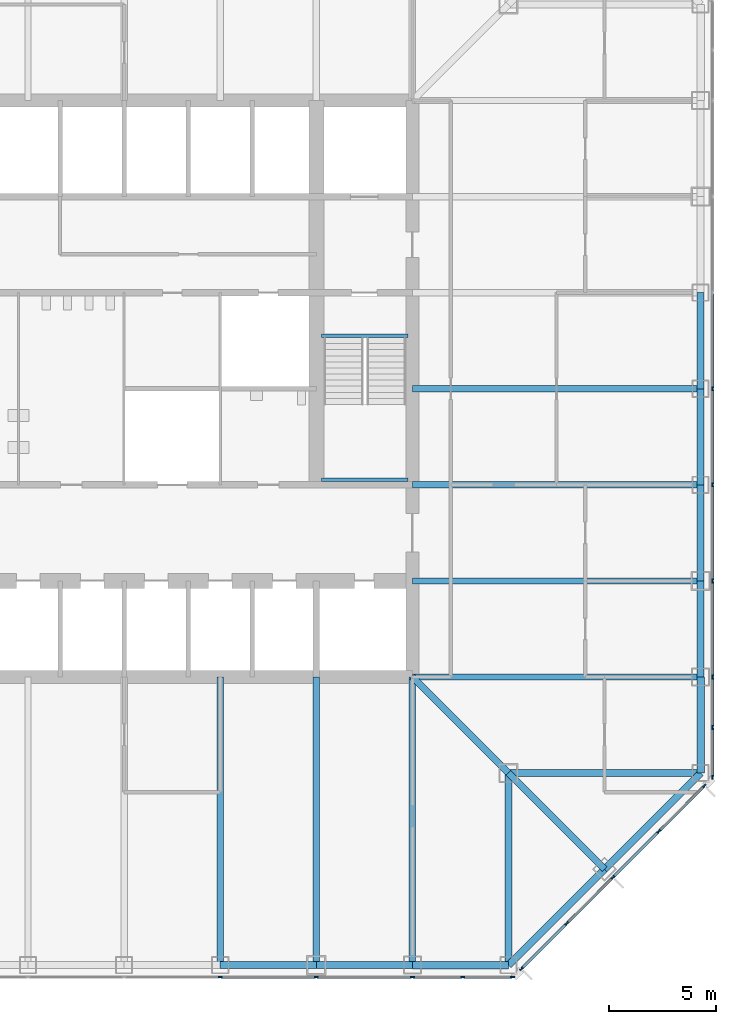
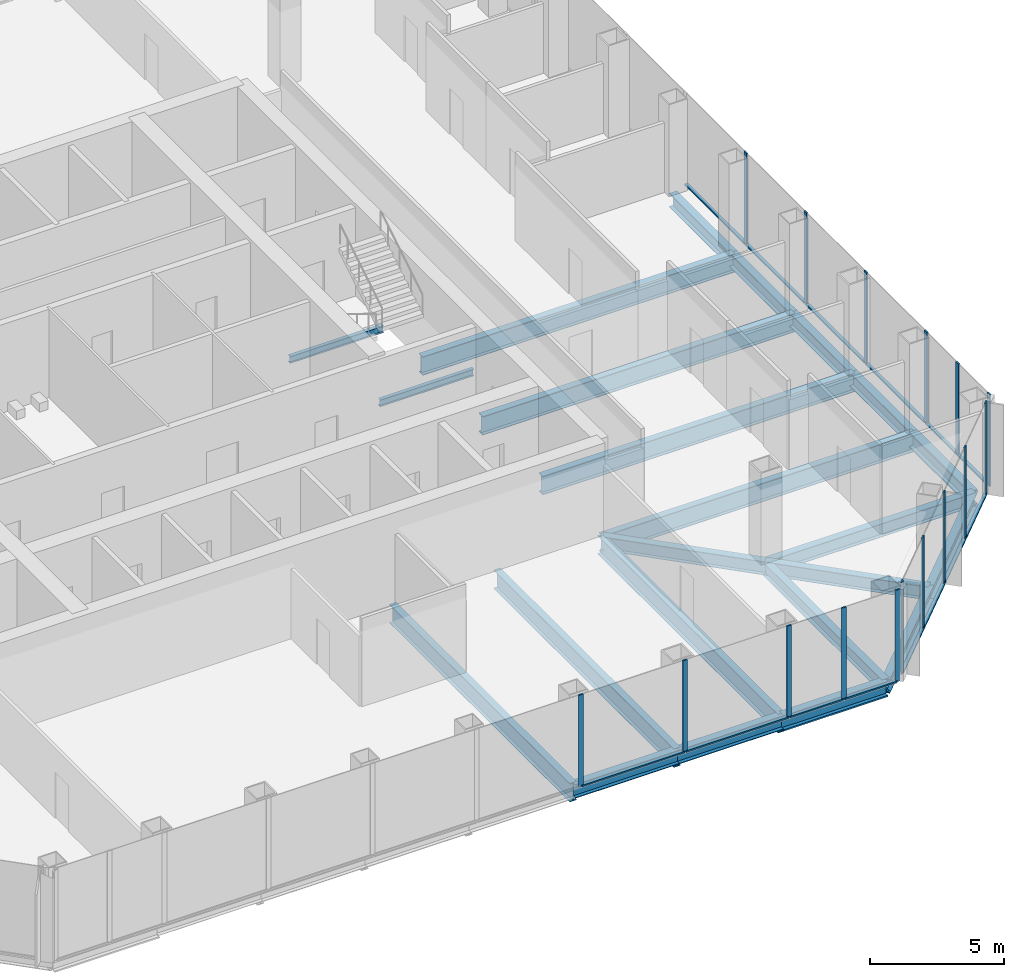
# One storey, part 4 of 12: 30 members, 23 beams, 3 elements without a shape of their own.
"""IFC4 building model written with IfcOpenShell, lengths in metres."""

from ifc_helpers import new_model, si_unit, direction, frame, origin, origin_2d, place, context, subcontext, project, spatial, rectangle, i_section, extrude, material, material_profile, profile_set, type_object, element, aggregate, save


model = new_model("IFC4")

# Units and contexts
model_context = context("Model", 3, precision=1e-05, world=origin(), true_north=direction((0.0, 1.0)))
body_context = subcontext(model_context, "Body", "Model", "MODEL_VIEW")
ifc_project = project(units=[si_unit("LENGTHUNIT", "METRE"), si_unit("AREAUNIT", "SQUARE_METRE"), si_unit("VOLUMEUNIT", "CUBIC_METRE"), si_unit("PLANEANGLEUNIT", "RADIAN"), si_unit("MASSUNIT", "GRAM", prefix="KILO")], contexts=[model_context])

# Site, building, storey
site_placement = place(None, origin())
site = spatial("IfcSite", under=ifc_project, at=site_placement, CompositionType="ELEMENT")
building_placement = place(site_placement, origin())
building = spatial("IfcBuilding", under=site, at=building_placement, Name="Corais Broadcast Tower", CompositionType="ELEMENT")
storey_placement = place(building_placement, frame((0.0, 0.0, 75.199951171875)))
storey = spatial("IfcBuildingStorey", under=building, at=storey_placement, Name="L16", CompositionType="ELEMENT", Elevation=75.199951171875)

# Beams
ifc_material_1 = material(Name="Steel ASTM A572 Grade 50", Category="steel")
ifc_material_profile_1 = material_profile(ifc_material_1, i_section(OverallWidth=0.323974609375, OverallDepth=0.611083984375, WebThickness=0.0126953125, FlangeThickness=0.01904296875, at=origin_2d()), Name="W610x155")
ifc_profile_set_1 = profile_set([ifc_material_profile_1], Name="Steel ASTM A572 Grade 50")
beam_type_1 = type_object("IfcBeamType", Name="Chamfer tie W610x155", PredefinedType="BEAM", material=ifc_profile_set_1)
beam_1_placement = place(storey_placement, frame((49.5, 4.5, -0.46533203125), z_axis=(-0.707106781187, 0.707106781187, 0.0), x_axis=(-0.707106781187, -0.707106781187, 0.0)))
element("IfcBeam", 1, at=beam_1_placement, inside=storey, type_object=beam_type_1, Name="B5 B/14 to C/13", PredefinedType="BEAM", context=body_context, shape_type="SweptSolid", body=[
    extrude(i_section(OverallWidth=0.323974609375, OverallDepth=0.611083984375, WebThickness=0.0126953125, FlangeThickness=0.01904296875, at=origin_2d()), origin(), (0.0, 0.0, 1.0), 6.364013671875),
])
ifc_material_2 = material(Name="Steel ASTM A572 Grade 50", Category="steel")
ifc_material_profile_2 = material_profile(ifc_material_2, i_section(OverallWidth=0.323974609375, OverallDepth=0.611083984375, WebThickness=0.0126953125, FlangeThickness=0.01904296875, at=origin_2d()), Name="W610x155")
ifc_profile_set_2 = profile_set([ifc_material_profile_2], Name="Steel ASTM A572 Grade 50")
beam_type_2 = type_object("IfcBeamType", Name="Corner diagonal W610x155", PredefinedType="BEAM", material=ifc_profile_set_2)
beam_2_placement = place(storey_placement, frame((45.0, 9.0, -0.46533203125), z_axis=(-0.707106781187, 0.707106781187, 0.0), x_axis=(-0.707106781187, -0.707106781187, 0.0)))
element("IfcBeam", 2, at=beam_2_placement, inside=storey, type_object=beam_type_2, Name="B6 C/13 to D/12", PredefinedType="BEAM", context=body_context, shape_type="SweptSolid", body=[
    extrude(i_section(OverallWidth=0.323974609375, OverallDepth=0.611083984375, WebThickness=0.0126953125, FlangeThickness=0.01904296875, at=origin_2d()), origin(), (0.0, 0.0, 1.0), 6.364013671875),
])
ifc_material_3 = material(Name="Steel ASTM A572 Grade 50", Category="steel")
ifc_material_profile_3 = material_profile(ifc_material_3, i_section(OverallWidth=0.323974609375, OverallDepth=0.611083984375, WebThickness=0.0126953125, FlangeThickness=0.01904296875, at=origin_2d()), Name="W610x155")
ifc_profile_set_3 = profile_set([ifc_material_profile_3], Name="Steel ASTM A572 Grade 50")
beam_type_3 = type_object("IfcBeamType", Name="Corner girder W610x155", PredefinedType="BEAM", material=ifc_profile_set_3)
for number, where, z_axis, x_axis, name in (
    (3, (45.0, 0.0, -0.46533203125), (0.0, 1.0, 0.0), (-1.0, 0.0, 0.0), "B4 A/13 to C/13"),
    (4, (54.0, 9.0, -0.46533203125), (-1.0, 0.0, 0.0), (0.0, -1.0, 0.0), "B4 C/15 to C/13"),
):
    element("IfcBeam", number, at=place(storey_placement, frame(where, z_axis=z_axis, x_axis=x_axis)), inside=storey, type_object=beam_type_3, Name=name, PredefinedType="BEAM", context=body_context, shape_type="SweptSolid", body=[
        extrude(i_section(OverallWidth=0.323974609375, OverallDepth=0.611083984375, WebThickness=0.0126953125, FlangeThickness=0.01904296875, at=origin_2d()), origin(), (0.0, 0.0, 1.0), 9.0),
    ])
ifc_material_4 = material(Name="Steel ASTM A913 Grade 65", Category="steel")
ifc_material_profile_4 = material_profile(ifc_material_4, i_section(OverallWidth=0.347900390625, OverallDepth=0.7109375, WebThickness=0.03857421875, FlangeThickness=0.069091796875, at=origin_2d()), Name="W610x551")
ifc_profile_set_4 = profile_set([ifc_material_profile_4], Name="Steel ASTM A913 Grade 65")
beam_type_4 = type_object("IfcBeamType", Name="Corner spandrel W610x551", PredefinedType="BEAM", material=ifc_profile_set_4)
for number, where, z_axis, x_axis, name in (
    (5, (40.5, 0.0, -0.515380859375), (1.0, 0.0, 0.0), (0.0, 1.0, 0.0), "SB11 A/12 to A/13"),
    (6, (54.0, 9.0, -0.515380859375), (0.0, 1.0, 0.0), (-1.0, 0.0, 0.0), "SB11 C/15 to D/15"),
):
    element("IfcBeam", number, at=place(storey_placement, frame(where, z_axis=z_axis, x_axis=x_axis)), inside=storey, type_object=beam_type_4, Name=name, PredefinedType="BEAM", context=body_context, shape_type="SweptSolid", body=[
        extrude(i_section(OverallWidth=0.347900390625, OverallDepth=0.7109375, WebThickness=0.03857421875, FlangeThickness=0.069091796875, at=origin_2d()), origin(), (0.0, 0.0, 1.0), 4.5),
    ])
ifc_material_5 = material(Name="Steel ASTM A572 Grade 50", Category="steel")
ifc_material_profile_5 = material_profile(ifc_material_5, i_section(OverallWidth=0.2939453125, OverallDepth=0.85107421875, WebThickness=0.01611328125, FlangeThickness=0.02685546875, at=origin_2d()), Name="W840x226")
ifc_profile_set_5 = profile_set([ifc_material_profile_5], Name="Steel ASTM A572 Grade 50")
beam_type_5 = type_object("IfcBeamType", Name="Floor beam W840x226", PredefinedType="BEAM", material=ifc_profile_set_5)
for number, where, z_axis, x_axis, name in (
    (7, (31.5, 0.0, -0.58544921875), (0.0, 1.0, 0.0), (-1.0, 0.0, 0.0), "B1 A/10 to D/10"),
    (8, (36.0, 0.0, -0.58544921875), (0.0, 1.0, 0.0), (-1.0, 0.0, 0.0), "B1 A/11 to D/11"),
    (9, (40.5, 0.0, -0.58544921875), (0.0, 1.0, 0.0), (-1.0, 0.0, 0.0), "B1 A/12 to D/12"),
    (10, (54.0, 13.5, -0.58544921875), (-1.0, 0.0, 0.0), (0.0, -1.0, 0.0), "B1 D/15 to D/12"),
    (11, (54.0, 18.0, -0.58544921875), (-1.0, 0.0, 0.0), (0.0, -1.0, 0.0), "B1 E/15 to E/12"),
    (12, (54.0, 22.5, -0.58544921875), (-1.0, 0.0, 0.0), (0.0, -1.0, 0.0), "B1 F/15 to F/12"),
    (13, (54.0, 27.0, -0.58544921875), (-1.0, 0.0, 0.0), (0.0, -1.0, 0.0), "B1 G/15 to G/12"),
):
    element("IfcBeam", number, at=place(storey_placement, frame(where, z_axis=z_axis, x_axis=x_axis)), inside=storey, type_object=beam_type_5, Name=name, PredefinedType="BEAM", context=body_context, shape_type="SweptSolid", body=[
        extrude(i_section(OverallWidth=0.2939453125, OverallDepth=0.85107421875, WebThickness=0.01611328125, FlangeThickness=0.02685546875, at=origin_2d()), origin(), (0.0, 0.0, 1.0), 13.5),
    ])
ifc_material_6 = material(Name="Steel ASTM A572 Grade 50", Category="steel")
ifc_material_profile_6 = material_profile(ifc_material_6, i_section(OverallWidth=0.1650390625, OverallDepth=0.31005859375, WebThickness=0.005859375, FlangeThickness=0.009765625, at=origin_2d()), Name="W310x38.7")
ifc_profile_set_6 = profile_set([ifc_material_profile_6], Name="Steel ASTM A572 Grade 50")
beam_type_6 = type_object("IfcBeamType", Name="Landing trimmer W310x38.7", PredefinedType="BEAM", material=ifc_profile_set_6)
for number, where, z_axis, x_axis, name in (
    (14, (36.25, 29.47509765625, -0.35498046875), (1.0, 0.0, 0.0), (0.0, 1.0, 0.0), "LT1 stair B landing trimmer L16"),
    (15, (36.25, 22.739990234375, 1.7451171875), (1.0, 0.0, 0.0), (0.0, 1.0, 0.0), "LT1 stair B half landing trimmer L16"),
):
    element("IfcBeam", number, at=place(storey_placement, frame(where, z_axis=z_axis, x_axis=x_axis)), inside=storey, type_object=beam_type_6, Name=name, PredefinedType="BEAM", context=body_context, shape_type="SweptSolid", body=[
        extrude(i_section(OverallWidth=0.1650390625, OverallDepth=0.31005859375, WebThickness=0.005859375, FlangeThickness=0.009765625, at=origin_2d()), origin(), (0.0, 0.0, 1.0), 4.050048828125),
    ])

# Curtain wall, members
ifc_material_7 = material(Name="Aluminium and glass", Category="aluminium")
curtain_wall_type = type_object("IfcCurtainWallType", Name="Unitised fritted curtain wall CW1", PredefinedType="NOTDEFINED", material=ifc_material_7)
curtain_wall_1_placement = place(storey_placement, origin())
curtain_wall_1 = element("IfcCurtainWall", 16, at=curtain_wall_1_placement, inside=storey, type_object=curtain_wall_type, Name="CW1 curtain wall L16 6", PredefinedType="NOTDEFINED")
ifc_material_8 = material(Name="Aluminium 6063-T6", Category="aluminium")
ifc_material_profile_7 = material_profile(ifc_material_8, rectangle(XDim=0.06494140625, YDim=0.199951171875, at=origin_2d()), Name="Mullion CW1 65x200")
ifc_profile_set_7 = profile_set([ifc_material_profile_7], Name="Aluminium 6063-T6")
member_type_1 = type_object("IfcMemberType", Name="Mullion CW1 65x200", PredefinedType="MULLION", material=ifc_profile_set_7)
member_1_placement = place(storey_placement, frame((54.550048828125, 27.0, 0.0), z_axis=(0.0, 0.0, 1.0), x_axis=(1.0, 0.0, 0.0)))
member_1 = element("IfcMember", 17, at=member_1_placement, type_object=member_type_1, Name="CW1 mullion 6", PredefinedType="MULLION", context=body_context, shape_type="SweptSolid", body=[
    extrude(rectangle(XDim=0.06494140625, YDim=0.199951171875, at=origin_2d()), origin(), (0.0, 0.0, 1.0), 4.199951171875),
])
member_2_placement = place(storey_placement, frame((54.550048828125, 22.5, 0.0), z_axis=(0.0, 0.0, 1.0), x_axis=(1.0, 0.0, 0.0)))
member_2 = element("IfcMember", 18, at=member_2_placement, type_object=member_type_1, Name="CW1 mullion 7", PredefinedType="MULLION", context=body_context, shape_type="SweptSolid", body=[
    extrude(rectangle(XDim=0.06494140625, YDim=0.199951171875, at=origin_2d()), origin(), (0.0, 0.0, 1.0), 4.199951171875),
])
member_3_placement = place(storey_placement, frame((54.550048828125, 18.0, 0.0), z_axis=(0.0, 0.0, 1.0), x_axis=(1.0, 0.0, 0.0)))
member_3 = element("IfcMember", 19, at=member_3_placement, type_object=member_type_1, Name="CW1 mullion 8", PredefinedType="MULLION", context=body_context, shape_type="SweptSolid", body=[
    extrude(rectangle(XDim=0.06494140625, YDim=0.199951171875, at=origin_2d()), origin(), (0.0, 0.0, 1.0), 4.199951171875),
])
member_4_placement = place(storey_placement, frame((54.550048828125, 13.5, 0.0), z_axis=(0.0, 0.0, 1.0), x_axis=(1.0, 0.0, 0.0)))
member_4 = element("IfcMember", 20, at=member_4_placement, type_object=member_type_1, Name="CW1 mullion 9", PredefinedType="MULLION", context=body_context, shape_type="SweptSolid", body=[
    extrude(rectangle(XDim=0.06494140625, YDim=0.199951171875, at=origin_2d()), origin(), (0.0, 0.0, 1.0), 4.199951171875),
])
member_5_placement = place(storey_placement, frame((54.550048828125, 11.135986328125, 0.0), z_axis=(0.0, 0.0, 1.0), x_axis=(1.0, 0.0, 0.0)))
member_5 = element("IfcMember", 21, at=member_5_placement, type_object=member_type_1, Name="CW1 mullion 10", PredefinedType="MULLION", context=body_context, shape_type="SweptSolid", body=[
    extrude(rectangle(XDim=0.06494140625, YDim=0.199951171875, at=origin_2d()), origin(), (0.0, 0.0, 1.0), 4.199951171875),
])
member_6_placement = place(storey_placement, frame((54.550048828125, 8.8046875, 0.0), z_axis=(0.0, 0.0, 1.0), x_axis=(1.0, 0.0, 0.0)))
member_6 = element("IfcMember", 22, at=member_6_placement, type_object=member_type_1, Name="CW1 mullion 11", PredefinedType="MULLION", context=body_context, shape_type="SweptSolid", body=[
    extrude(rectangle(XDim=0.06494140625, YDim=0.199951171875, at=origin_2d()), origin(), (0.0, 0.0, 1.0), 4.199951171875),
])

curtain_wall_2_placement = place(storey_placement, origin())
curtain_wall_2 = element("IfcCurtainWall", 23, at=curtain_wall_2_placement, inside=storey, type_object=curtain_wall_type, Name="CW1 curtain wall L16 7", PredefinedType="NOTDEFINED")
member_7_placement = place(storey_placement, frame((54.17333984375, 8.3955078125, 0.0), z_axis=(0.0, 0.0, 1.0), x_axis=(0.707106781187, -0.707106781187, 0.0)))
member_7 = element("IfcMember", 24, at=member_7_placement, type_object=member_type_1, Name="CW1 mullion 1", PredefinedType="MULLION", context=body_context, shape_type="SweptSolid", body=[
    extrude(rectangle(XDim=0.06494140625, YDim=0.199951171875, at=origin_2d()), origin(), (0.0, 0.0, 1.0), 4.199951171875),
])
member_8_placement = place(storey_placement, frame((52.042724609375, 6.264892578125, 0.0), z_axis=(0.0, 0.0, 1.0), x_axis=(0.707106781187, -0.707106781187, 0.0)))
member_8 = element("IfcMember", 25, at=member_8_placement, type_object=member_type_1, Name="CW1 mullion 2", PredefinedType="MULLION", context=body_context, shape_type="SweptSolid", body=[
    extrude(rectangle(XDim=0.06494140625, YDim=0.199951171875, at=origin_2d()), origin(), (0.0, 0.0, 1.0), 4.199951171875),
])
member_9_placement = place(storey_placement, frame((49.888916015625, 4.111083984375, 0.0), z_axis=(0.0, 0.0, 1.0), x_axis=(0.707106781187, -0.707106781187, 0.0)))
member_9 = element("IfcMember", 26, at=member_9_placement, type_object=member_type_1, Name="CW1 mullion 3", PredefinedType="MULLION", context=body_context, shape_type="SweptSolid", body=[
    extrude(rectangle(XDim=0.06494140625, YDim=0.199951171875, at=origin_2d()), origin(), (0.0, 0.0, 1.0), 4.199951171875),
])
member_10_placement = place(storey_placement, frame((47.735107421875, 1.957275390625, 0.0), z_axis=(0.0, 0.0, 1.0), x_axis=(0.707106781187, -0.707106781187, 0.0)))
member_10 = element("IfcMember", 27, at=member_10_placement, type_object=member_type_1, Name="CW1 mullion 4", PredefinedType="MULLION", context=body_context, shape_type="SweptSolid", body=[
    extrude(rectangle(XDim=0.06494140625, YDim=0.199951171875, at=origin_2d()), origin(), (0.0, 0.0, 1.0), 4.199951171875),
])
member_11_placement = place(storey_placement, frame((45.6044921875, -0.17333984375, 0.0), z_axis=(0.0, 0.0, 1.0), x_axis=(0.707106781187, -0.707106781187, 0.0)))
member_11 = element("IfcMember", 28, at=member_11_placement, type_object=member_type_1, Name="CW1 mullion 5", PredefinedType="MULLION", context=body_context, shape_type="SweptSolid", body=[
    extrude(rectangle(XDim=0.06494140625, YDim=0.199951171875, at=origin_2d()), origin(), (0.0, 0.0, 1.0), 4.199951171875),
])

curtain_wall_3_placement = place(storey_placement, origin())
curtain_wall_3 = element("IfcCurtainWall", 29, at=curtain_wall_3_placement, inside=storey, type_object=curtain_wall_type, Name="CW1 curtain wall L16 8", PredefinedType="NOTDEFINED")
member_12_placement = place(storey_placement, frame((45.1953125, -0.550048828125, 0.0), z_axis=(0.0, 0.0, 1.0), x_axis=(0.0, -1.0, 0.0)))
member_12 = element("IfcMember", 30, at=member_12_placement, type_object=member_type_1, Name="CW1 mullion 1", PredefinedType="MULLION", context=body_context, shape_type="SweptSolid", body=[
    extrude(rectangle(XDim=0.06494140625, YDim=0.199951171875, at=origin_2d()), origin(), (0.0, 0.0, 1.0), 4.199951171875),
])
member_13_placement = place(storey_placement, frame((42.864013671875, -0.550048828125, 0.0), z_axis=(0.0, 0.0, 1.0), x_axis=(0.0, -1.0, 0.0)))
member_13 = element("IfcMember", 31, at=member_13_placement, type_object=member_type_1, Name="CW1 mullion 2", PredefinedType="MULLION", context=body_context, shape_type="SweptSolid", body=[
    extrude(rectangle(XDim=0.06494140625, YDim=0.199951171875, at=origin_2d()), origin(), (0.0, 0.0, 1.0), 4.199951171875),
])
member_14_placement = place(storey_placement, frame((40.5, -0.550048828125, 0.0), z_axis=(0.0, 0.0, 1.0), x_axis=(0.0, -1.0, 0.0)))
member_14 = element("IfcMember", 32, at=member_14_placement, type_object=member_type_1, Name="CW1 mullion 3", PredefinedType="MULLION", context=body_context, shape_type="SweptSolid", body=[
    extrude(rectangle(XDim=0.06494140625, YDim=0.199951171875, at=origin_2d()), origin(), (0.0, 0.0, 1.0), 4.199951171875),
])
member_15_placement = place(storey_placement, frame((36.0, -0.550048828125, 0.0), z_axis=(0.0, 0.0, 1.0), x_axis=(0.0, -1.0, 0.0)))
member_15 = element("IfcMember", 33, at=member_15_placement, type_object=member_type_1, Name="CW1 mullion 4", PredefinedType="MULLION", context=body_context, shape_type="SweptSolid", body=[
    extrude(rectangle(XDim=0.06494140625, YDim=0.199951171875, at=origin_2d()), origin(), (0.0, 0.0, 1.0), 4.199951171875),
])
member_16_placement = place(storey_placement, frame((31.5, -0.550048828125, 0.0), z_axis=(0.0, 0.0, 1.0), x_axis=(0.0, -1.0, 0.0)))
member_16 = element("IfcMember", 34, at=member_16_placement, type_object=member_type_1, Name="CW1 mullion 5", PredefinedType="MULLION", context=body_context, shape_type="SweptSolid", body=[
    extrude(rectangle(XDim=0.06494140625, YDim=0.199951171875, at=origin_2d()), origin(), (0.0, 0.0, 1.0), 4.199951171875),
])

# Beams
ifc_material_9 = material(Name="Steel ASTM A572 Grade 50", Category="steel")
ifc_material_profile_8 = material_profile(ifc_material_9, i_section(OverallWidth=0.3291015625, OverallDepth=0.635009765625, WebThickness=0.017822265625, FlangeThickness=0.031005859375, at=origin_2d()), Name="W610x241")
ifc_profile_set_8 = profile_set([ifc_material_profile_8], Name="Steel ASTM A572 Grade 50")
beam_type_7 = type_object("IfcBeamType", Name="Spandrel W610x241", PredefinedType="BEAM", material=ifc_profile_set_8)
for number, where, z_axis, x_axis, name in (
    (35, (31.5, 0.0, -0.4775390625), (1.0, 0.0, 0.0), (0.0, 1.0, 0.0), "SB1 A/10 to A/11"),
    (36, (36.0, 0.0, -0.4775390625), (1.0, 0.0, 0.0), (0.0, 1.0, 0.0), "SB1 A/11 to A/12"),
):
    element("IfcBeam", number, at=place(storey_placement, frame(where, z_axis=z_axis, x_axis=x_axis)), inside=storey, type_object=beam_type_7, Name=name, PredefinedType="BEAM", context=body_context, shape_type="SweptSolid", body=[
        extrude(i_section(OverallWidth=0.3291015625, OverallDepth=0.635009765625, WebThickness=0.017822265625, FlangeThickness=0.031005859375, at=origin_2d()), origin(), (0.0, 0.0, 1.0), 4.5),
    ])
for number, where, z_axis, x_axis, name in (
    (37, (45.0, 0.0, -0.4775390625), (0.707106781187, 0.707106781187, 0.0), (-0.707106781187, 0.707106781187, 0.0), "SB1 A/13 to B/14"),
    (38, (49.5, 4.5, -0.4775390625), (0.707106781187, 0.707106781187, 0.0), (-0.707106781187, 0.707106781187, 0.0), "SB1 B/14 to C/15"),
):
    element("IfcBeam", number, at=place(storey_placement, frame(where, z_axis=z_axis, x_axis=x_axis)), inside=storey, type_object=beam_type_7, Name=name, PredefinedType="BEAM", context=body_context, shape_type="SweptSolid", body=[
        extrude(i_section(OverallWidth=0.3291015625, OverallDepth=0.635009765625, WebThickness=0.017822265625, FlangeThickness=0.031005859375, at=origin_2d()), origin(), (0.0, 0.0, 1.0), 6.364013671875),
    ])
for number, where, z_axis, x_axis, name in (
    (39, (54.0, 13.5, -0.4775390625), (0.0, 1.0, 0.0), (-1.0, 0.0, 0.0), "SB1 D/15 to E/15"),
    (40, (54.0, 18.0, -0.4775390625), (0.0, 1.0, 0.0), (-1.0, 0.0, 0.0), "SB1 E/15 to F/15"),
    (41, (54.0, 22.5, -0.4775390625), (0.0, 1.0, 0.0), (-1.0, 0.0, 0.0), "SB1 F/15 to G/15"),
    (42, (54.0, 27.0, -0.4775390625), (0.0, 1.0, 0.0), (-1.0, 0.0, 0.0), "SB1 G/15 to H/15"),
):
    element("IfcBeam", number, at=place(storey_placement, frame(where, z_axis=z_axis, x_axis=x_axis)), inside=storey, type_object=beam_type_7, Name=name, PredefinedType="BEAM", context=body_context, shape_type="SweptSolid", body=[
        extrude(i_section(OverallWidth=0.3291015625, OverallDepth=0.635009765625, WebThickness=0.017822265625, FlangeThickness=0.031005859375, at=origin_2d()), origin(), (0.0, 0.0, 1.0), 4.5),
    ])

# Member
ifc_material_10 = material(Name="Aluminium 6063-T6", Category="aluminium")
ifc_material_profile_9 = material_profile(ifc_material_10, rectangle(XDim=0.139892578125, YDim=0.06494140625, at=origin_2d()), Name="Transom CW1 65x140")
ifc_profile_set_9 = profile_set([ifc_material_profile_9], Name="Aluminium 6063-T6")
member_type_2 = type_object("IfcMemberType", Name="Transom CW1 65x140", PredefinedType="USERDEFINED", material=ifc_profile_set_9)
member_17_placement = place(storey_placement, frame((54.550048828125, 31.467529296875, 0.032470703125), z_axis=(0.0, -1.0, 0.0), x_axis=(1.0, 0.0, 0.0)))
member_17 = element("IfcMember", 43, at=member_17_placement, type_object=member_type_2, Name="CW1 transom 5.1", ObjectType="TRANSOM", PredefinedType="USERDEFINED", context=body_context, shape_type="SweptSolid", body=[
    extrude(rectangle(XDim=0.139892578125, YDim=0.06494140625, at=origin_2d()), origin(), (0.0, 0.0, 1.0), 4.43505859375),
])

member_18_placement = place(storey_placement, frame((54.550048828125, 26.967529296875, 0.032470703125), z_axis=(0.0, -1.0, 0.0), x_axis=(1.0, 0.0, 0.0)))
member_18 = element("IfcMember", 44, at=member_18_placement, type_object=member_type_2, Name="CW1 transom 6.1", ObjectType="TRANSOM", PredefinedType="USERDEFINED", context=body_context, shape_type="SweptSolid", body=[
    extrude(rectangle(XDim=0.139892578125, YDim=0.06494140625, at=origin_2d()), origin(), (0.0, 0.0, 1.0), 4.43505859375),
])

member_19_placement = place(storey_placement, frame((54.550048828125, 22.467529296875, 0.032470703125), z_axis=(0.0, -1.0, 0.0), x_axis=(1.0, 0.0, 0.0)))
member_19 = element("IfcMember", 45, at=member_19_placement, type_object=member_type_2, Name="CW1 transom 7.1", ObjectType="TRANSOM", PredefinedType="USERDEFINED", context=body_context, shape_type="SweptSolid", body=[
    extrude(rectangle(XDim=0.139892578125, YDim=0.06494140625, at=origin_2d()), origin(), (0.0, 0.0, 1.0), 4.43505859375),
])

member_20_placement = place(storey_placement, frame((54.550048828125, 17.967529296875, 0.032470703125), z_axis=(0.0, -1.0, 0.0), x_axis=(1.0, 0.0, 0.0)))
member_20 = element("IfcMember", 46, at=member_20_placement, type_object=member_type_2, Name="CW1 transom 8.1", ObjectType="TRANSOM", PredefinedType="USERDEFINED", context=body_context, shape_type="SweptSolid", body=[
    extrude(rectangle(XDim=0.139892578125, YDim=0.06494140625, at=origin_2d()), origin(), (0.0, 0.0, 1.0), 4.43505859375),
])

member_21_placement = place(storey_placement, frame((54.550048828125, 13.467529296875, 0.032470703125), z_axis=(0.0, -1.0, 0.0), x_axis=(1.0, 0.0, 0.0)))
member_21 = element("IfcMember", 47, at=member_21_placement, type_object=member_type_2, Name="CW1 transom 9.1", ObjectType="TRANSOM", PredefinedType="USERDEFINED", context=body_context, shape_type="SweptSolid", body=[
    extrude(rectangle(XDim=0.139892578125, YDim=0.06494140625, at=origin_2d()), origin(), (0.0, 0.0, 1.0), 2.298828125),
])

member_22_placement = place(storey_placement, frame((54.550048828125, 11.103515625, 0.032470703125), z_axis=(0.0, -1.0, 0.0), x_axis=(1.0, 0.0, 0.0)))
member_22 = element("IfcMember", 48, at=member_22_placement, type_object=member_type_2, Name="CW1 transom 10.1", ObjectType="TRANSOM", PredefinedType="USERDEFINED", context=body_context, shape_type="SweptSolid", body=[
    extrude(rectangle(XDim=0.139892578125, YDim=0.06494140625, at=origin_2d()), origin(), (0.0, 0.0, 1.0), 2.266357421875),
])

aggregate(curtain_wall_1, [member_1, member_2, member_3, member_4, member_5, member_6, member_17, member_18, member_19, member_20, member_21, member_22])

member_23_placement = place(storey_placement, frame((54.150390625, 8.37255859375, 0.032470703125), z_axis=(-0.707106781187, -0.707106781187, 0.0), x_axis=(0.707106781187, -0.707106781187, 0.0)))
member_23 = element("IfcMember", 49, at=member_23_placement, type_object=member_type_2, Name="CW1 transom 1.1", ObjectType="TRANSOM", PredefinedType="USERDEFINED", context=body_context, shape_type="SweptSolid", body=[
    extrude(rectangle(XDim=0.139892578125, YDim=0.06494140625, at=origin_2d()), origin(), (0.0, 0.0, 1.0), 2.9482421875),
])

member_24_placement = place(storey_placement, frame((52.019775390625, 6.241943359375, 0.032470703125), z_axis=(-0.707106781187, -0.707106781187, 0.0), x_axis=(0.707106781187, -0.707106781187, 0.0)))
member_24 = element("IfcMember", 50, at=member_24_placement, type_object=member_type_2, Name="CW1 transom 2.1", ObjectType="TRANSOM", PredefinedType="USERDEFINED", context=body_context, shape_type="SweptSolid", body=[
    extrude(rectangle(XDim=0.139892578125, YDim=0.06494140625, at=origin_2d()), origin(), (0.0, 0.0, 1.0), 2.98095703125),
])

member_25_placement = place(storey_placement, frame((49.865966796875, 4.088134765625, 0.032470703125), z_axis=(-0.707106781187, -0.707106781187, 0.0), x_axis=(0.707106781187, -0.707106781187, 0.0)))
member_25 = element("IfcMember", 51, at=member_25_placement, type_object=member_type_2, Name="CW1 transom 3.1", ObjectType="TRANSOM", PredefinedType="USERDEFINED", context=body_context, shape_type="SweptSolid", body=[
    extrude(rectangle(XDim=0.139892578125, YDim=0.06494140625, at=origin_2d()), origin(), (0.0, 0.0, 1.0), 2.98095703125),
])

member_26_placement = place(storey_placement, frame((47.712158203125, 1.934326171875, 0.032470703125), z_axis=(-0.707106781187, -0.707106781187, 0.0), x_axis=(0.707106781187, -0.707106781187, 0.0)))
member_26 = element("IfcMember", 52, at=member_26_placement, type_object=member_type_2, Name="CW1 transom 4.1", ObjectType="TRANSOM", PredefinedType="USERDEFINED", context=body_context, shape_type="SweptSolid", body=[
    extrude(rectangle(XDim=0.139892578125, YDim=0.06494140625, at=origin_2d()), origin(), (0.0, 0.0, 1.0), 2.9482421875),
])

aggregate(curtain_wall_2, [member_7, member_8, member_9, member_10, member_11, member_23, member_24, member_25, member_26])

member_27_placement = place(storey_placement, frame((45.162841796875, -0.550048828125, 0.032470703125), z_axis=(-1.0, 0.0, 0.0), x_axis=(0.0, -1.0, 0.0)))
member_27 = element("IfcMember", 53, at=member_27_placement, type_object=member_type_2, Name="CW1 transom 1.1", ObjectType="TRANSOM", PredefinedType="USERDEFINED", context=body_context, shape_type="SweptSolid", body=[
    extrude(rectangle(XDim=0.139892578125, YDim=0.06494140625, at=origin_2d()), origin(), (0.0, 0.0, 1.0), 2.266357421875),
])

member_28_placement = place(storey_placement, frame((42.831298828125, -0.550048828125, 0.032470703125), z_axis=(-1.0, 0.0, 0.0), x_axis=(0.0, -1.0, 0.0)))
member_28 = element("IfcMember", 54, at=member_28_placement, type_object=member_type_2, Name="CW1 transom 2.1", ObjectType="TRANSOM", PredefinedType="USERDEFINED", context=body_context, shape_type="SweptSolid", body=[
    extrude(rectangle(XDim=0.139892578125, YDim=0.06494140625, at=origin_2d()), origin(), (0.0, 0.0, 1.0), 2.298828125),
])

member_29_placement = place(storey_placement, frame((40.467529296875, -0.550048828125, 0.032470703125), z_axis=(-1.0, 0.0, 0.0), x_axis=(0.0, -1.0, 0.0)))
member_29 = element("IfcMember", 55, at=member_29_placement, type_object=member_type_2, Name="CW1 transom 3.1", ObjectType="TRANSOM", PredefinedType="USERDEFINED", context=body_context, shape_type="SweptSolid", body=[
    extrude(rectangle(XDim=0.139892578125, YDim=0.06494140625, at=origin_2d()), origin(), (0.0, 0.0, 1.0), 4.43505859375),
])

member_30_placement = place(storey_placement, frame((35.967529296875, -0.550048828125, 0.032470703125), z_axis=(-1.0, 0.0, 0.0), x_axis=(0.0, -1.0, 0.0)))
member_30 = element("IfcMember", 56, at=member_30_placement, type_object=member_type_2, Name="CW1 transom 4.1", ObjectType="TRANSOM", PredefinedType="USERDEFINED", context=body_context, shape_type="SweptSolid", body=[
    extrude(rectangle(XDim=0.139892578125, YDim=0.06494140625, at=origin_2d()), origin(), (0.0, 0.0, 1.0), 4.43505859375),
])

aggregate(curtain_wall_3, [member_12, member_13, member_14, member_15, member_16, member_27, member_28, member_29, member_30])

save(model, "model.ifc")
